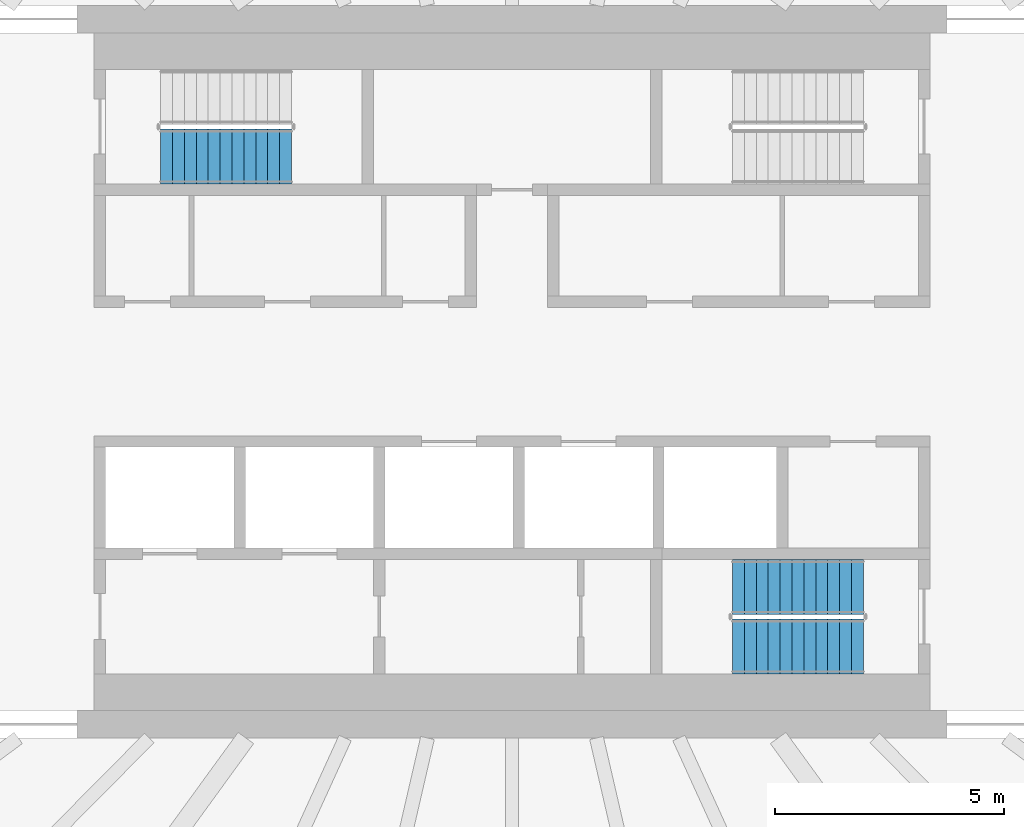
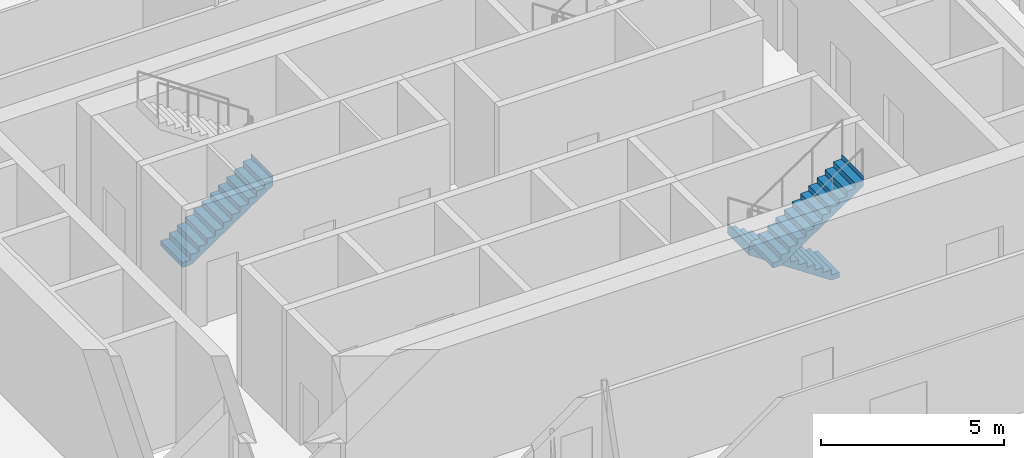
# One storey, part 18 of 25: 3 stair flights, 2 elements without a shape of their own.
"""IFC4 building model written with IfcOpenShell, lengths in metres."""

from ifc_helpers import new_model, si_unit, direction, frame, origin, place, context, subcontext, project, spatial, triangles, material, type_object, element, aggregate, save


model = new_model("IFC4")

# Units and contexts
model_context = context("Model", 3, precision=1e-05, world=origin(), true_north=direction((0.0, 1.0)))
body_context = subcontext(model_context, "Body", "Model", "MODEL_VIEW")
ifc_project = project(units=[si_unit("LENGTHUNIT", "METRE"), si_unit("AREAUNIT", "SQUARE_METRE"), si_unit("VOLUMEUNIT", "CUBIC_METRE"), si_unit("PLANEANGLEUNIT", "RADIAN"), si_unit("MASSUNIT", "GRAM", prefix="KILO")], contexts=[model_context])

# Site, building, storey
site_placement = place(None, origin())
site = spatial("IfcSite", under=ifc_project, at=site_placement, CompositionType="ELEMENT")
building_placement = place(site_placement, origin())
building = spatial("IfcBuilding", under=site, at=building_placement, Name="Sahrelin Media Tower", CompositionType="ELEMENT")
storey_placement = place(building_placement, frame((0.0, 0.0, 110.39990234375)))
storey = spatial("IfcBuildingStorey", under=building, at=storey_placement, Name="L21", CompositionType="ELEMENT", Elevation=110.39990234375)

# Stair, stair flight
ifc_material = material(Name="Concrete C40/50", Category="concrete")
stair_type = type_object("IfcStairType", Name="Exit stair 1200", PredefinedType="HALF_TURN_STAIR", material=ifc_material)
placement = place(storey_placement, origin())
stair_1 = element("IfcStair", 1, at=placement, inside=storey, type_object=stair_type, Name="L21 Exit stair ST1", PredefinedType="HALF_TURN_STAIR")
stair_flight_type = type_object("IfcStairFlightType", Name="Stair flight 1200", PredefinedType="STRAIGHT", material=ifc_material)
stair_flight_1_placement = place(storey_placement, frame((-7.675048828125, 4.699951171875, 0.0), z_axis=(0.0, 0.0, 1.0), x_axis=(1.0, 0.0, 0.0)))
stair_flight_1 = element("IfcStairFlight", 2, at=stair_flight_1_placement, type_object=stair_flight_type, Name="ST1 flight 1", NumberOfRisers=12, NumberOfTreads=11, PredefinedType="STRAIGHT", RiserHeight=0.175, TreadLength=0.26, context=body_context, shape_type="Tessellation", body=[
    triangles([(0.2685546875, 0.60009765625, 0.0), (0.2685546875, 0.300048828125, 0.0), (0.2685546875, 0.0, 0.0), (0.2685546875, -0.300048828125, 0.0), (0.2685546875, -0.60009765625, 0.0), (2.860107421875, 0.60009765625, 1.744384765625), (2.860107421875, 0.300048828125, 1.744384765625), (2.860107421875, 0.0, 1.744384765625), (2.860107421875, -0.300048828125, 1.744384765625), (2.860107421875, -0.60009765625, 1.744384765625), (2.860107421875, 0.60009765625, 2.10009765625), (2.860107421875, 0.300048828125, 2.10009765625), (2.860107421875, 0.0, 2.10009765625), (2.860107421875, -0.300048828125, 2.10009765625), (2.860107421875, -0.60009765625, 2.10009765625), (2.85791015625, 0.60009765625, 2.10009765625), (2.85791015625, 0.300048828125, 2.10009765625), (2.85791015625, 0.0, 2.10009765625), (2.85791015625, -0.300048828125, 2.10009765625), (2.85791015625, -0.60009765625, 2.10009765625), (2.85791015625, 0.60009765625, 1.925048828125), (2.85791015625, 0.300048828125, 1.925048828125), (2.85791015625, 0.0, 1.925048828125), (2.85791015625, -0.300048828125, 1.925048828125), (2.85791015625, -0.60009765625, 1.925048828125), (2.60009765625, 0.60009765625, 1.925048828125), (2.60009765625, 0.300048828125, 1.925048828125), (2.60009765625, 0.0, 1.925048828125), (2.60009765625, -0.300048828125, 1.925048828125), (2.60009765625, -0.60009765625, 1.925048828125), (2.60009765625, 0.60009765625, 1.75), (2.60009765625, 0.300048828125, 1.75), (2.60009765625, 0.0, 1.75), (2.60009765625, -0.300048828125, 1.75), (2.60009765625, -0.60009765625, 1.75), (2.340087890625, 0.60009765625, 1.75), (2.340087890625, 0.300048828125, 1.75), (2.340087890625, 0.0, 1.75), (2.340087890625, -0.300048828125, 1.75), (2.340087890625, -0.60009765625, 1.75), (2.340087890625, 0.60009765625, 1.574951171875), (2.340087890625, 0.300048828125, 1.574951171875), (2.340087890625, 0.0, 1.574951171875), (2.340087890625, -0.300048828125, 1.574951171875), (2.340087890625, -0.60009765625, 1.574951171875), (2.080078125, 0.60009765625, 1.574951171875), (2.080078125, 0.300048828125, 1.574951171875), (2.080078125, 0.0, 1.574951171875), (2.080078125, -0.300048828125, 1.574951171875), (2.080078125, -0.60009765625, 1.574951171875), (2.080078125, 0.60009765625, 1.39990234375), (2.080078125, 0.300048828125, 1.39990234375), (2.080078125, 0.0, 1.39990234375), (2.080078125, -0.300048828125, 1.39990234375), (2.080078125, -0.60009765625, 1.39990234375), (1.820068359375, 0.60009765625, 1.39990234375), (1.820068359375, 0.300048828125, 1.39990234375), (1.820068359375, 0.0, 1.39990234375), (1.820068359375, -0.300048828125, 1.39990234375), (1.820068359375, -0.60009765625, 1.39990234375), (1.820068359375, 0.60009765625, 1.22509765625), (1.820068359375, 0.300048828125, 1.22509765625), (1.820068359375, 0.0, 1.22509765625), (1.820068359375, -0.300048828125, 1.22509765625), (1.820068359375, -0.60009765625, 1.22509765625), (1.56005859375, 0.60009765625, 1.22509765625), (1.56005859375, 0.300048828125, 1.22509765625), (1.56005859375, 0.0, 1.22509765625), (1.56005859375, -0.300048828125, 1.22509765625), (1.56005859375, -0.60009765625, 1.22509765625), (1.56005859375, 0.60009765625, 1.050048828125), (1.56005859375, 0.300048828125, 1.050048828125), (1.56005859375, 0.0, 1.050048828125), (1.56005859375, -0.300048828125, 1.050048828125), (1.56005859375, -0.60009765625, 1.050048828125), (1.300048828125, 0.60009765625, 1.050048828125), (1.300048828125, 0.300048828125, 1.050048828125), (1.300048828125, 0.0, 1.050048828125), (1.300048828125, -0.300048828125, 1.050048828125), (1.300048828125, -0.60009765625, 1.050048828125), (1.300048828125, 0.60009765625, 0.875), (1.300048828125, 0.300048828125, 0.875), (1.300048828125, 0.0, 0.875), (1.300048828125, -0.300048828125, 0.875), (1.300048828125, -0.60009765625, 0.875), (1.0400390625, 0.60009765625, 0.875), (1.0400390625, 0.300048828125, 0.875), (1.0400390625, 0.0, 0.875), (1.0400390625, -0.300048828125, 0.875), (1.0400390625, -0.60009765625, 0.875), (1.0400390625, 0.60009765625, 0.699951171875), (1.0400390625, 0.300048828125, 0.699951171875), (1.0400390625, 0.0, 0.699951171875), (1.0400390625, -0.300048828125, 0.699951171875), (1.0400390625, -0.60009765625, 0.699951171875), (0.780029296875, 0.60009765625, 0.699951171875), (0.780029296875, 0.300048828125, 0.699951171875), (0.780029296875, 0.0, 0.699951171875), (0.780029296875, -0.300048828125, 0.699951171875), (0.780029296875, -0.60009765625, 0.699951171875), (0.780029296875, 0.60009765625, 0.52490234375), (0.780029296875, 0.300048828125, 0.52490234375), (0.780029296875, 0.0, 0.52490234375), (0.780029296875, -0.300048828125, 0.52490234375), (0.780029296875, -0.60009765625, 0.52490234375), (0.52001953125, 0.60009765625, 0.52490234375), (0.52001953125, 0.300048828125, 0.52490234375), (0.52001953125, 0.0, 0.52490234375), (0.52001953125, -0.300048828125, 0.52490234375), (0.52001953125, -0.60009765625, 0.52490234375), (0.52001953125, 0.60009765625, 0.35009765625), (0.52001953125, 0.300048828125, 0.35009765625), (0.52001953125, 0.0, 0.35009765625), (0.52001953125, -0.300048828125, 0.35009765625), (0.52001953125, -0.60009765625, 0.35009765625), (0.260009765625, 0.60009765625, 0.35009765625), (0.260009765625, 0.300048828125, 0.35009765625), (0.260009765625, 0.0, 0.35009765625), (0.260009765625, -0.300048828125, 0.35009765625), (0.260009765625, -0.60009765625, 0.35009765625), (0.260009765625, 0.60009765625, 0.175048828125), (0.260009765625, 0.300048828125, 0.175048828125), (0.260009765625, 0.0, 0.175048828125), (0.260009765625, -0.300048828125, 0.175048828125), (0.260009765625, -0.60009765625, 0.175048828125), (0.0, 0.60009765625, 0.175048828125), (0.0, 0.300048828125, 0.175048828125), (0.0, 0.0, 0.175048828125), (0.0, -0.300048828125, 0.175048828125), (0.0, -0.60009765625, 0.175048828125), (0.0, 0.60009765625, 0.0), (0.0, 0.300048828125, 0.0), (0.0, 0.0, 0.0), (0.0, -0.300048828125, 0.0), (0.0, -0.60009765625, 0.0)], [[1, 6, 7], [1, 7, 2], [2, 7, 8], [2, 8, 3], [3, 8, 9], [3, 9, 4], [4, 9, 10], [4, 10, 5], [6, 11, 12], [6, 12, 7], [7, 12, 13], [7, 13, 8], [8, 13, 14], [8, 14, 9], [9, 14, 15], [9, 15, 10], [11, 16, 17], [11, 17, 12], [12, 17, 18], [12, 18, 13], [13, 18, 19], [13, 19, 14], [14, 19, 20], [14, 20, 15], [16, 21, 22], [16, 22, 17], [17, 22, 23], [17, 23, 18], [18, 23, 24], [18, 24, 19], [19, 24, 25], [19, 25, 20], [21, 26, 27], [21, 27, 22], [22, 27, 28], [22, 28, 23], [23, 28, 29], [23, 29, 24], [24, 29, 30], [24, 30, 25], [26, 31, 32], [26, 32, 27], [27, 32, 33], [27, 33, 28], [28, 33, 34], [28, 34, 29], [29, 34, 35], [29, 35, 30], [31, 36, 37], [31, 37, 32], [32, 37, 38], [32, 38, 33], [33, 38, 39], [33, 39, 34], [34, 39, 40], [34, 40, 35], [36, 41, 42], [36, 42, 37], [37, 42, 43], [37, 43, 38], [38, 43, 44], [38, 44, 39], [39, 44, 45], [39, 45, 40], [41, 46, 47], [41, 47, 42], [42, 47, 48], [42, 48, 43], [43, 48, 49], [43, 49, 44], [44, 49, 50], [44, 50, 45], [46, 51, 52], [46, 52, 47], [47, 52, 53], [47, 53, 48], [48, 53, 54], [48, 54, 49], [49, 54, 55], [49, 55, 50], [51, 56, 57], [51, 57, 52], [52, 57, 58], [52, 58, 53], [53, 58, 59], [53, 59, 54], [54, 59, 60], [54, 60, 55], [56, 61, 62], [56, 62, 57], [57, 62, 63], [57, 63, 58], [58, 63, 64], [58, 64, 59], [59, 64, 65], [59, 65, 60], [61, 66, 67], [61, 67, 62], [62, 67, 68], [62, 68, 63], [63, 68, 69], [63, 69, 64], [64, 69, 70], [64, 70, 65], [66, 71, 72], [66, 72, 67], [67, 72, 73], [67, 73, 68], [68, 73, 74], [68, 74, 69], [69, 74, 75], [69, 75, 70], [71, 76, 77], [71, 77, 72], [72, 77, 78], [72, 78, 73], [73, 78, 79], [73, 79, 74], [74, 79, 80], [74, 80, 75], [76, 81, 82], [76, 82, 77], [77, 82, 83], [77, 83, 78], [78, 83, 84], [78, 84, 79], [79, 84, 85], [79, 85, 80], [81, 86, 87], [81, 87, 82], [82, 87, 88], [82, 88, 83], [83, 88, 89], [83, 89, 84], [84, 89, 90], [84, 90, 85], [86, 91, 92], [86, 92, 87], [87, 92, 93], [87, 93, 88], [88, 93, 94], [88, 94, 89], [89, 94, 95], [89, 95, 90], [91, 96, 97], [91, 97, 92], [92, 97, 98], [92, 98, 93], [93, 98, 99], [93, 99, 94], [94, 99, 100], [94, 100, 95], [96, 101, 102], [96, 102, 97], [97, 102, 103], [97, 103, 98], [98, 103, 104], [98, 104, 99], [99, 104, 105], [99, 105, 100], [101, 106, 107], [101, 107, 102], [102, 107, 108], [102, 108, 103], [103, 108, 109], [103, 109, 104], [104, 109, 110], [104, 110, 105], [106, 111, 112], [106, 112, 107], [107, 112, 113], [107, 113, 108], [108, 113, 114], [108, 114, 109], [109, 114, 115], [109, 115, 110], [111, 116, 117], [111, 117, 112], [112, 117, 118], [112, 118, 113], [113, 118, 119], [113, 119, 114], [114, 119, 120], [114, 120, 115], [116, 121, 122], [116, 122, 117], [117, 122, 123], [117, 123, 118], [118, 123, 124], [118, 124, 119], [119, 124, 125], [119, 125, 120], [121, 126, 127], [121, 127, 122], [122, 127, 128], [122, 128, 123], [123, 128, 129], [123, 129, 124], [124, 129, 130], [124, 130, 125], [126, 131, 132], [126, 132, 127], [127, 132, 133], [127, 133, 128], [128, 133, 134], [128, 134, 129], [129, 134, 135], [129, 135, 130], [131, 1, 2], [131, 2, 132], [132, 2, 3], [132, 3, 133], [133, 3, 4], [133, 4, 134], [134, 4, 5], [134, 5, 135], [125, 130, 135], [121, 131, 126], [125, 115, 120], [121, 116, 111], [115, 105, 110], [111, 106, 101], [105, 95, 100], [101, 96, 91], [95, 85, 90], [91, 86, 81], [85, 75, 80], [81, 76, 71], [75, 65, 70], [71, 66, 61], [65, 55, 60], [61, 56, 51], [55, 45, 50], [51, 46, 41], [45, 35, 40], [41, 36, 31], [35, 25, 30], [31, 26, 21], [25, 15, 20], [21, 16, 11], [135, 5, 125], [131, 121, 1], [95, 105, 5], [91, 1, 101], [5, 10, 75], [1, 71, 6], [10, 35, 45], [6, 41, 31], [25, 10, 15], [21, 11, 6], [115, 125, 5], [111, 1, 121], [75, 85, 5], [71, 1, 81], [35, 10, 25], [31, 21, 6], [105, 115, 5], [101, 1, 111], [45, 55, 10], [41, 6, 51], [85, 95, 5], [81, 1, 91], [65, 10, 55], [61, 51, 6], [10, 65, 75], [6, 71, 61]], closed=True),
])
aggregate(stair_1, [stair_flight_1])

# Stair, stair flights
stair_2 = element("IfcStair", 3, at=placement, inside=storey, type_object=stair_type, Name="L21 Exit stair ST2", PredefinedType="HALF_TURN_STAIR")
stair_flight_2_placement = place(storey_placement, frame((7.675048828125, -4.699951171875, 0.0), z_axis=(0.0, 0.0, 1.0), x_axis=(-1.0, 0.0, 0.0)))
stair_flight_2 = element("IfcStairFlight", 4, at=stair_flight_2_placement, type_object=stair_flight_type, Name="ST2 flight 1", NumberOfRisers=12, NumberOfTreads=11, PredefinedType="STRAIGHT", RiserHeight=0.175, TreadLength=0.26, context=body_context, shape_type="Tessellation", body=[
    triangles([(0.2685546875, 0.60009765625, 0.0), (0.2685546875, 0.300048828125, 0.0), (0.2685546875, 0.0, 0.0), (0.2685546875, -0.300048828125, 0.0), (0.2685546875, -0.60009765625, 0.0), (2.860107421875, 0.60009765625, 1.744384765625), (2.860107421875, 0.300048828125, 1.744384765625), (2.860107421875, 0.0, 1.744384765625), (2.860107421875, -0.300048828125, 1.744384765625), (2.860107421875, -0.60009765625, 1.744384765625), (2.860107421875, 0.60009765625, 2.10009765625), (2.860107421875, 0.300048828125, 2.10009765625), (2.860107421875, 0.0, 2.10009765625), (2.860107421875, -0.300048828125, 2.10009765625), (2.860107421875, -0.60009765625, 2.10009765625), (2.85791015625, 0.60009765625, 2.10009765625), (2.85791015625, 0.300048828125, 2.10009765625), (2.85791015625, 0.0, 2.10009765625), (2.85791015625, -0.300048828125, 2.10009765625), (2.85791015625, -0.60009765625, 2.10009765625), (2.85791015625, 0.60009765625, 1.925048828125), (2.85791015625, 0.300048828125, 1.925048828125), (2.85791015625, 0.0, 1.925048828125), (2.85791015625, -0.300048828125, 1.925048828125), (2.85791015625, -0.60009765625, 1.925048828125), (2.60009765625, 0.60009765625, 1.925048828125), (2.60009765625, 0.300048828125, 1.925048828125), (2.60009765625, 0.0, 1.925048828125), (2.60009765625, -0.300048828125, 1.925048828125), (2.60009765625, -0.60009765625, 1.925048828125), (2.60009765625, 0.60009765625, 1.75), (2.60009765625, 0.300048828125, 1.75), (2.60009765625, 0.0, 1.75), (2.60009765625, -0.300048828125, 1.75), (2.60009765625, -0.60009765625, 1.75), (2.340087890625, 0.60009765625, 1.75), (2.340087890625, 0.300048828125, 1.75), (2.340087890625, 0.0, 1.75), (2.340087890625, -0.300048828125, 1.75), (2.340087890625, -0.60009765625, 1.75), (2.340087890625, 0.60009765625, 1.574951171875), (2.340087890625, 0.300048828125, 1.574951171875), (2.340087890625, 0.0, 1.574951171875), (2.340087890625, -0.300048828125, 1.574951171875), (2.340087890625, -0.60009765625, 1.574951171875), (2.080078125, 0.60009765625, 1.574951171875), (2.080078125, 0.300048828125, 1.574951171875), (2.080078125, 0.0, 1.574951171875), (2.080078125, -0.300048828125, 1.574951171875), (2.080078125, -0.60009765625, 1.574951171875), (2.080078125, 0.60009765625, 1.39990234375), (2.080078125, 0.300048828125, 1.39990234375), (2.080078125, 0.0, 1.39990234375), (2.080078125, -0.300048828125, 1.39990234375), (2.080078125, -0.60009765625, 1.39990234375), (1.820068359375, 0.60009765625, 1.39990234375), (1.820068359375, 0.300048828125, 1.39990234375), (1.820068359375, 0.0, 1.39990234375), (1.820068359375, -0.300048828125, 1.39990234375), (1.820068359375, -0.60009765625, 1.39990234375), (1.820068359375, 0.60009765625, 1.22509765625), (1.820068359375, 0.300048828125, 1.22509765625), (1.820068359375, 0.0, 1.22509765625), (1.820068359375, -0.300048828125, 1.22509765625), (1.820068359375, -0.60009765625, 1.22509765625), (1.56005859375, 0.60009765625, 1.22509765625), (1.56005859375, 0.300048828125, 1.22509765625), (1.56005859375, 0.0, 1.22509765625), (1.56005859375, -0.300048828125, 1.22509765625), (1.56005859375, -0.60009765625, 1.22509765625), (1.56005859375, 0.60009765625, 1.050048828125), (1.56005859375, 0.300048828125, 1.050048828125), (1.56005859375, 0.0, 1.050048828125), (1.56005859375, -0.300048828125, 1.050048828125), (1.56005859375, -0.60009765625, 1.050048828125), (1.300048828125, 0.60009765625, 1.050048828125), (1.300048828125, 0.300048828125, 1.050048828125), (1.300048828125, 0.0, 1.050048828125), (1.300048828125, -0.300048828125, 1.050048828125), (1.300048828125, -0.60009765625, 1.050048828125), (1.300048828125, 0.60009765625, 0.875), (1.300048828125, 0.300048828125, 0.875), (1.300048828125, 0.0, 0.875), (1.300048828125, -0.300048828125, 0.875), (1.300048828125, -0.60009765625, 0.875), (1.0400390625, 0.60009765625, 0.875), (1.0400390625, 0.300048828125, 0.875), (1.0400390625, 0.0, 0.875), (1.0400390625, -0.300048828125, 0.875), (1.0400390625, -0.60009765625, 0.875), (1.0400390625, 0.60009765625, 0.699951171875), (1.0400390625, 0.300048828125, 0.699951171875), (1.0400390625, 0.0, 0.699951171875), (1.0400390625, -0.300048828125, 0.699951171875), (1.0400390625, -0.60009765625, 0.699951171875), (0.780029296875, 0.60009765625, 0.699951171875), (0.780029296875, 0.300048828125, 0.699951171875), (0.780029296875, 0.0, 0.699951171875), (0.780029296875, -0.300048828125, 0.699951171875), (0.780029296875, -0.60009765625, 0.699951171875), (0.780029296875, 0.60009765625, 0.52490234375), (0.780029296875, 0.300048828125, 0.52490234375), (0.780029296875, 0.0, 0.52490234375), (0.780029296875, -0.300048828125, 0.52490234375), (0.780029296875, -0.60009765625, 0.52490234375), (0.52001953125, 0.60009765625, 0.52490234375), (0.52001953125, 0.300048828125, 0.52490234375), (0.52001953125, 0.0, 0.52490234375), (0.52001953125, -0.300048828125, 0.52490234375), (0.52001953125, -0.60009765625, 0.52490234375), (0.52001953125, 0.60009765625, 0.35009765625), (0.52001953125, 0.300048828125, 0.35009765625), (0.52001953125, 0.0, 0.35009765625), (0.52001953125, -0.300048828125, 0.35009765625), (0.52001953125, -0.60009765625, 0.35009765625), (0.260009765625, 0.60009765625, 0.35009765625), (0.260009765625, 0.300048828125, 0.35009765625), (0.260009765625, 0.0, 0.35009765625), (0.260009765625, -0.300048828125, 0.35009765625), (0.260009765625, -0.60009765625, 0.35009765625), (0.260009765625, 0.60009765625, 0.175048828125), (0.260009765625, 0.300048828125, 0.175048828125), (0.260009765625, 0.0, 0.175048828125), (0.260009765625, -0.300048828125, 0.175048828125), (0.260009765625, -0.60009765625, 0.175048828125), (0.0, 0.60009765625, 0.175048828125), (0.0, 0.300048828125, 0.175048828125), (0.0, 0.0, 0.175048828125), (0.0, -0.300048828125, 0.175048828125), (0.0, -0.60009765625, 0.175048828125), (0.0, 0.60009765625, 0.0), (0.0, 0.300048828125, 0.0), (0.0, 0.0, 0.0), (0.0, -0.300048828125, 0.0), (0.0, -0.60009765625, 0.0)], [[1, 6, 7], [1, 7, 2], [2, 7, 8], [2, 8, 3], [3, 8, 9], [3, 9, 4], [4, 9, 10], [4, 10, 5], [6, 11, 12], [6, 12, 7], [7, 12, 13], [7, 13, 8], [8, 13, 14], [8, 14, 9], [9, 14, 15], [9, 15, 10], [11, 16, 17], [11, 17, 12], [12, 17, 18], [12, 18, 13], [13, 18, 19], [13, 19, 14], [14, 19, 20], [14, 20, 15], [16, 21, 22], [16, 22, 17], [17, 22, 23], [17, 23, 18], [18, 23, 24], [18, 24, 19], [19, 24, 25], [19, 25, 20], [21, 26, 27], [21, 27, 22], [22, 27, 28], [22, 28, 23], [23, 28, 29], [23, 29, 24], [24, 29, 30], [24, 30, 25], [26, 31, 32], [26, 32, 27], [27, 32, 33], [27, 33, 28], [28, 33, 34], [28, 34, 29], [29, 34, 35], [29, 35, 30], [31, 36, 37], [31, 37, 32], [32, 37, 38], [32, 38, 33], [33, 38, 39], [33, 39, 34], [34, 39, 40], [34, 40, 35], [36, 41, 42], [36, 42, 37], [37, 42, 43], [37, 43, 38], [38, 43, 44], [38, 44, 39], [39, 44, 45], [39, 45, 40], [41, 46, 47], [41, 47, 42], [42, 47, 48], [42, 48, 43], [43, 48, 49], [43, 49, 44], [44, 49, 50], [44, 50, 45], [46, 51, 52], [46, 52, 47], [47, 52, 53], [47, 53, 48], [48, 53, 54], [48, 54, 49], [49, 54, 55], [49, 55, 50], [51, 56, 57], [51, 57, 52], [52, 57, 58], [52, 58, 53], [53, 58, 59], [53, 59, 54], [54, 59, 60], [54, 60, 55], [56, 61, 62], [56, 62, 57], [57, 62, 63], [57, 63, 58], [58, 63, 64], [58, 64, 59], [59, 64, 65], [59, 65, 60], [61, 66, 67], [61, 67, 62], [62, 67, 68], [62, 68, 63], [63, 68, 69], [63, 69, 64], [64, 69, 70], [64, 70, 65], [66, 71, 72], [66, 72, 67], [67, 72, 73], [67, 73, 68], [68, 73, 74], [68, 74, 69], [69, 74, 75], [69, 75, 70], [71, 76, 77], [71, 77, 72], [72, 77, 78], [72, 78, 73], [73, 78, 79], [73, 79, 74], [74, 79, 80], [74, 80, 75], [76, 81, 82], [76, 82, 77], [77, 82, 83], [77, 83, 78], [78, 83, 84], [78, 84, 79], [79, 84, 85], [79, 85, 80], [81, 86, 87], [81, 87, 82], [82, 87, 88], [82, 88, 83], [83, 88, 89], [83, 89, 84], [84, 89, 90], [84, 90, 85], [86, 91, 92], [86, 92, 87], [87, 92, 93], [87, 93, 88], [88, 93, 94], [88, 94, 89], [89, 94, 95], [89, 95, 90], [91, 96, 97], [91, 97, 92], [92, 97, 98], [92, 98, 93], [93, 98, 99], [93, 99, 94], [94, 99, 100], [94, 100, 95], [96, 101, 102], [96, 102, 97], [97, 102, 103], [97, 103, 98], [98, 103, 104], [98, 104, 99], [99, 104, 105], [99, 105, 100], [101, 106, 107], [101, 107, 102], [102, 107, 108], [102, 108, 103], [103, 108, 109], [103, 109, 104], [104, 109, 110], [104, 110, 105], [106, 111, 112], [106, 112, 107], [107, 112, 113], [107, 113, 108], [108, 113, 114], [108, 114, 109], [109, 114, 115], [109, 115, 110], [111, 116, 117], [111, 117, 112], [112, 117, 118], [112, 118, 113], [113, 118, 119], [113, 119, 114], [114, 119, 120], [114, 120, 115], [116, 121, 122], [116, 122, 117], [117, 122, 123], [117, 123, 118], [118, 123, 124], [118, 124, 119], [119, 124, 125], [119, 125, 120], [121, 126, 127], [121, 127, 122], [122, 127, 128], [122, 128, 123], [123, 128, 129], [123, 129, 124], [124, 129, 130], [124, 130, 125], [126, 131, 132], [126, 132, 127], [127, 132, 133], [127, 133, 128], [128, 133, 134], [128, 134, 129], [129, 134, 135], [129, 135, 130], [131, 1, 2], [131, 2, 132], [132, 2, 3], [132, 3, 133], [133, 3, 4], [133, 4, 134], [134, 4, 5], [134, 5, 135], [125, 130, 135], [121, 131, 126], [125, 115, 120], [121, 116, 111], [115, 105, 110], [111, 106, 101], [105, 95, 100], [101, 96, 91], [95, 85, 90], [91, 86, 81], [85, 75, 80], [81, 76, 71], [75, 65, 70], [71, 66, 61], [65, 55, 60], [61, 56, 51], [55, 45, 50], [51, 46, 41], [45, 35, 40], [41, 36, 31], [35, 25, 30], [31, 26, 21], [25, 15, 20], [21, 16, 11], [135, 5, 125], [131, 121, 1], [95, 105, 5], [91, 1, 101], [5, 10, 75], [1, 71, 6], [10, 35, 45], [6, 41, 31], [25, 10, 15], [21, 11, 6], [115, 125, 5], [111, 1, 121], [75, 85, 5], [71, 1, 81], [35, 10, 25], [31, 21, 6], [105, 115, 5], [101, 1, 111], [45, 55, 10], [41, 6, 51], [85, 95, 5], [81, 1, 91], [65, 10, 55], [61, 51, 6], [10, 65, 75], [6, 71, 61]], closed=True),
])
stair_flight_3_placement = place(storey_placement, frame((4.81494140625, -6.0, 2.10009765625), z_axis=(0.0, 0.0, 1.0), x_axis=(1.0, 0.0, 0.0)))
stair_flight_3 = element("IfcStairFlight", 5, at=stair_flight_3_placement, type_object=stair_flight_type, Name="ST2 flight 2", NumberOfRisers=12, NumberOfTreads=11, PredefinedType="STRAIGHT", RiserHeight=0.175, TreadLength=0.26, context=body_context, shape_type="Tessellation", body=[
    triangles([(0.2685546875, 0.60009765625, 0.0), (0.2685546875, 0.300048828125, 0.0), (0.2685546875, 0.0, 0.0), (0.2685546875, -0.300048828125, 0.0), (0.2685546875, -0.60009765625, 0.0), (2.860107421875, 0.60009765625, 1.744384765625), (2.860107421875, 0.300048828125, 1.744384765625), (2.860107421875, 0.0, 1.744384765625), (2.860107421875, -0.300048828125, 1.744384765625), (2.860107421875, -0.60009765625, 1.744384765625), (2.860107421875, 0.60009765625, 2.10009765625), (2.860107421875, 0.300048828125, 2.10009765625), (2.860107421875, 0.0, 2.10009765625), (2.860107421875, -0.300048828125, 2.10009765625), (2.860107421875, -0.60009765625, 2.10009765625), (2.85791015625, 0.60009765625, 2.10009765625), (2.85791015625, 0.300048828125, 2.10009765625), (2.85791015625, 0.0, 2.10009765625), (2.85791015625, -0.300048828125, 2.10009765625), (2.85791015625, -0.60009765625, 2.10009765625), (2.85791015625, 0.60009765625, 1.925048828125), (2.85791015625, 0.300048828125, 1.925048828125), (2.85791015625, 0.0, 1.925048828125), (2.85791015625, -0.300048828125, 1.925048828125), (2.85791015625, -0.60009765625, 1.925048828125), (2.60009765625, 0.60009765625, 1.925048828125), (2.60009765625, 0.300048828125, 1.925048828125), (2.60009765625, 0.0, 1.925048828125), (2.60009765625, -0.300048828125, 1.925048828125), (2.60009765625, -0.60009765625, 1.925048828125), (2.60009765625, 0.60009765625, 1.75), (2.60009765625, 0.300048828125, 1.75), (2.60009765625, 0.0, 1.75), (2.60009765625, -0.300048828125, 1.75), (2.60009765625, -0.60009765625, 1.75), (2.340087890625, 0.60009765625, 1.75), (2.340087890625, 0.300048828125, 1.75), (2.340087890625, 0.0, 1.75), (2.340087890625, -0.300048828125, 1.75), (2.340087890625, -0.60009765625, 1.75), (2.340087890625, 0.60009765625, 1.574951171875), (2.340087890625, 0.300048828125, 1.574951171875), (2.340087890625, 0.0, 1.574951171875), (2.340087890625, -0.300048828125, 1.574951171875), (2.340087890625, -0.60009765625, 1.574951171875), (2.080078125, 0.60009765625, 1.574951171875), (2.080078125, 0.300048828125, 1.574951171875), (2.080078125, 0.0, 1.574951171875), (2.080078125, -0.300048828125, 1.574951171875), (2.080078125, -0.60009765625, 1.574951171875), (2.080078125, 0.60009765625, 1.39990234375), (2.080078125, 0.300048828125, 1.39990234375), (2.080078125, 0.0, 1.39990234375), (2.080078125, -0.300048828125, 1.39990234375), (2.080078125, -0.60009765625, 1.39990234375), (1.820068359375, 0.60009765625, 1.39990234375), (1.820068359375, 0.300048828125, 1.39990234375), (1.820068359375, 0.0, 1.39990234375), (1.820068359375, -0.300048828125, 1.39990234375), (1.820068359375, -0.60009765625, 1.39990234375), (1.820068359375, 0.60009765625, 1.22509765625), (1.820068359375, 0.300048828125, 1.22509765625), (1.820068359375, 0.0, 1.22509765625), (1.820068359375, -0.300048828125, 1.22509765625), (1.820068359375, -0.60009765625, 1.22509765625), (1.56005859375, 0.60009765625, 1.22509765625), (1.56005859375, 0.300048828125, 1.22509765625), (1.56005859375, 0.0, 1.22509765625), (1.56005859375, -0.300048828125, 1.22509765625), (1.56005859375, -0.60009765625, 1.22509765625), (1.56005859375, 0.60009765625, 1.050048828125), (1.56005859375, 0.300048828125, 1.050048828125), (1.56005859375, 0.0, 1.050048828125), (1.56005859375, -0.300048828125, 1.050048828125), (1.56005859375, -0.60009765625, 1.050048828125), (1.300048828125, 0.60009765625, 1.050048828125), (1.300048828125, 0.300048828125, 1.050048828125), (1.300048828125, 0.0, 1.050048828125), (1.300048828125, -0.300048828125, 1.050048828125), (1.300048828125, -0.60009765625, 1.050048828125), (1.300048828125, 0.60009765625, 0.875), (1.300048828125, 0.300048828125, 0.875), (1.300048828125, 0.0, 0.875), (1.300048828125, -0.300048828125, 0.875), (1.300048828125, -0.60009765625, 0.875), (1.0400390625, 0.60009765625, 0.875), (1.0400390625, 0.300048828125, 0.875), (1.0400390625, 0.0, 0.875), (1.0400390625, -0.300048828125, 0.875), (1.0400390625, -0.60009765625, 0.875), (1.0400390625, 0.60009765625, 0.699951171875), (1.0400390625, 0.300048828125, 0.699951171875), (1.0400390625, 0.0, 0.699951171875), (1.0400390625, -0.300048828125, 0.699951171875), (1.0400390625, -0.60009765625, 0.699951171875), (0.780029296875, 0.60009765625, 0.699951171875), (0.780029296875, 0.300048828125, 0.699951171875), (0.780029296875, 0.0, 0.699951171875), (0.780029296875, -0.300048828125, 0.699951171875), (0.780029296875, -0.60009765625, 0.699951171875), (0.780029296875, 0.60009765625, 0.52490234375), (0.780029296875, 0.300048828125, 0.52490234375), (0.780029296875, 0.0, 0.52490234375), (0.780029296875, -0.300048828125, 0.52490234375), (0.780029296875, -0.60009765625, 0.52490234375), (0.52001953125, 0.60009765625, 0.52490234375), (0.52001953125, 0.300048828125, 0.52490234375), (0.52001953125, 0.0, 0.52490234375), (0.52001953125, -0.300048828125, 0.52490234375), (0.52001953125, -0.60009765625, 0.52490234375), (0.52001953125, 0.60009765625, 0.35009765625), (0.52001953125, 0.300048828125, 0.35009765625), (0.52001953125, 0.0, 0.35009765625), (0.52001953125, -0.300048828125, 0.35009765625), (0.52001953125, -0.60009765625, 0.35009765625), (0.260009765625, 0.60009765625, 0.35009765625), (0.260009765625, 0.300048828125, 0.35009765625), (0.260009765625, 0.0, 0.35009765625), (0.260009765625, -0.300048828125, 0.35009765625), (0.260009765625, -0.60009765625, 0.35009765625), (0.260009765625, 0.60009765625, 0.175048828125), (0.260009765625, 0.300048828125, 0.175048828125), (0.260009765625, 0.0, 0.175048828125), (0.260009765625, -0.300048828125, 0.175048828125), (0.260009765625, -0.60009765625, 0.175048828125), (0.0, 0.60009765625, 0.175048828125), (0.0, 0.300048828125, 0.175048828125), (0.0, 0.0, 0.175048828125), (0.0, -0.300048828125, 0.175048828125), (0.0, -0.60009765625, 0.175048828125), (0.0, 0.60009765625, 0.0), (0.0, 0.300048828125, 0.0), (0.0, 0.0, 0.0), (0.0, -0.300048828125, 0.0), (0.0, -0.60009765625, 0.0)], [[1, 6, 7], [1, 7, 2], [2, 7, 8], [2, 8, 3], [3, 8, 9], [3, 9, 4], [4, 9, 10], [4, 10, 5], [6, 11, 12], [6, 12, 7], [7, 12, 13], [7, 13, 8], [8, 13, 14], [8, 14, 9], [9, 14, 15], [9, 15, 10], [11, 16, 17], [11, 17, 12], [12, 17, 18], [12, 18, 13], [13, 18, 19], [13, 19, 14], [14, 19, 20], [14, 20, 15], [16, 21, 22], [16, 22, 17], [17, 22, 23], [17, 23, 18], [18, 23, 24], [18, 24, 19], [19, 24, 25], [19, 25, 20], [21, 26, 27], [21, 27, 22], [22, 27, 28], [22, 28, 23], [23, 28, 29], [23, 29, 24], [24, 29, 30], [24, 30, 25], [26, 31, 32], [26, 32, 27], [27, 32, 33], [27, 33, 28], [28, 33, 34], [28, 34, 29], [29, 34, 35], [29, 35, 30], [31, 36, 37], [31, 37, 32], [32, 37, 38], [32, 38, 33], [33, 38, 39], [33, 39, 34], [34, 39, 40], [34, 40, 35], [36, 41, 42], [36, 42, 37], [37, 42, 43], [37, 43, 38], [38, 43, 44], [38, 44, 39], [39, 44, 45], [39, 45, 40], [41, 46, 47], [41, 47, 42], [42, 47, 48], [42, 48, 43], [43, 48, 49], [43, 49, 44], [44, 49, 50], [44, 50, 45], [46, 51, 52], [46, 52, 47], [47, 52, 53], [47, 53, 48], [48, 53, 54], [48, 54, 49], [49, 54, 55], [49, 55, 50], [51, 56, 57], [51, 57, 52], [52, 57, 58], [52, 58, 53], [53, 58, 59], [53, 59, 54], [54, 59, 60], [54, 60, 55], [56, 61, 62], [56, 62, 57], [57, 62, 63], [57, 63, 58], [58, 63, 64], [58, 64, 59], [59, 64, 65], [59, 65, 60], [61, 66, 67], [61, 67, 62], [62, 67, 68], [62, 68, 63], [63, 68, 69], [63, 69, 64], [64, 69, 70], [64, 70, 65], [66, 71, 72], [66, 72, 67], [67, 72, 73], [67, 73, 68], [68, 73, 74], [68, 74, 69], [69, 74, 75], [69, 75, 70], [71, 76, 77], [71, 77, 72], [72, 77, 78], [72, 78, 73], [73, 78, 79], [73, 79, 74], [74, 79, 80], [74, 80, 75], [76, 81, 82], [76, 82, 77], [77, 82, 83], [77, 83, 78], [78, 83, 84], [78, 84, 79], [79, 84, 85], [79, 85, 80], [81, 86, 87], [81, 87, 82], [82, 87, 88], [82, 88, 83], [83, 88, 89], [83, 89, 84], [84, 89, 90], [84, 90, 85], [86, 91, 92], [86, 92, 87], [87, 92, 93], [87, 93, 88], [88, 93, 94], [88, 94, 89], [89, 94, 95], [89, 95, 90], [91, 96, 97], [91, 97, 92], [92, 97, 98], [92, 98, 93], [93, 98, 99], [93, 99, 94], [94, 99, 100], [94, 100, 95], [96, 101, 102], [96, 102, 97], [97, 102, 103], [97, 103, 98], [98, 103, 104], [98, 104, 99], [99, 104, 105], [99, 105, 100], [101, 106, 107], [101, 107, 102], [102, 107, 108], [102, 108, 103], [103, 108, 109], [103, 109, 104], [104, 109, 110], [104, 110, 105], [106, 111, 112], [106, 112, 107], [107, 112, 113], [107, 113, 108], [108, 113, 114], [108, 114, 109], [109, 114, 115], [109, 115, 110], [111, 116, 117], [111, 117, 112], [112, 117, 118], [112, 118, 113], [113, 118, 119], [113, 119, 114], [114, 119, 120], [114, 120, 115], [116, 121, 122], [116, 122, 117], [117, 122, 123], [117, 123, 118], [118, 123, 124], [118, 124, 119], [119, 124, 125], [119, 125, 120], [121, 126, 127], [121, 127, 122], [122, 127, 128], [122, 128, 123], [123, 128, 129], [123, 129, 124], [124, 129, 130], [124, 130, 125], [126, 131, 132], [126, 132, 127], [127, 132, 133], [127, 133, 128], [128, 133, 134], [128, 134, 129], [129, 134, 135], [129, 135, 130], [131, 1, 2], [131, 2, 132], [132, 2, 3], [132, 3, 133], [133, 3, 4], [133, 4, 134], [134, 4, 5], [134, 5, 135], [125, 130, 135], [121, 131, 126], [125, 115, 120], [121, 116, 111], [115, 105, 110], [111, 106, 101], [105, 95, 100], [101, 96, 91], [95, 85, 90], [91, 86, 81], [85, 75, 80], [81, 76, 71], [75, 65, 70], [71, 66, 61], [65, 55, 60], [61, 56, 51], [55, 45, 50], [51, 46, 41], [45, 35, 40], [41, 36, 31], [35, 25, 30], [31, 26, 21], [25, 15, 20], [21, 16, 11], [135, 5, 125], [131, 121, 1], [95, 105, 5], [91, 1, 101], [5, 10, 75], [1, 71, 6], [10, 35, 45], [6, 41, 31], [25, 10, 15], [21, 11, 6], [115, 125, 5], [111, 1, 121], [75, 85, 5], [71, 1, 81], [35, 10, 25], [31, 21, 6], [105, 115, 5], [101, 1, 111], [45, 55, 10], [41, 6, 51], [85, 95, 5], [81, 1, 91], [65, 10, 55], [61, 51, 6], [10, 65, 75], [6, 71, 61]], closed=True),
])
aggregate(stair_2, [stair_flight_2, stair_flight_3])

save(model, "model.ifc")
